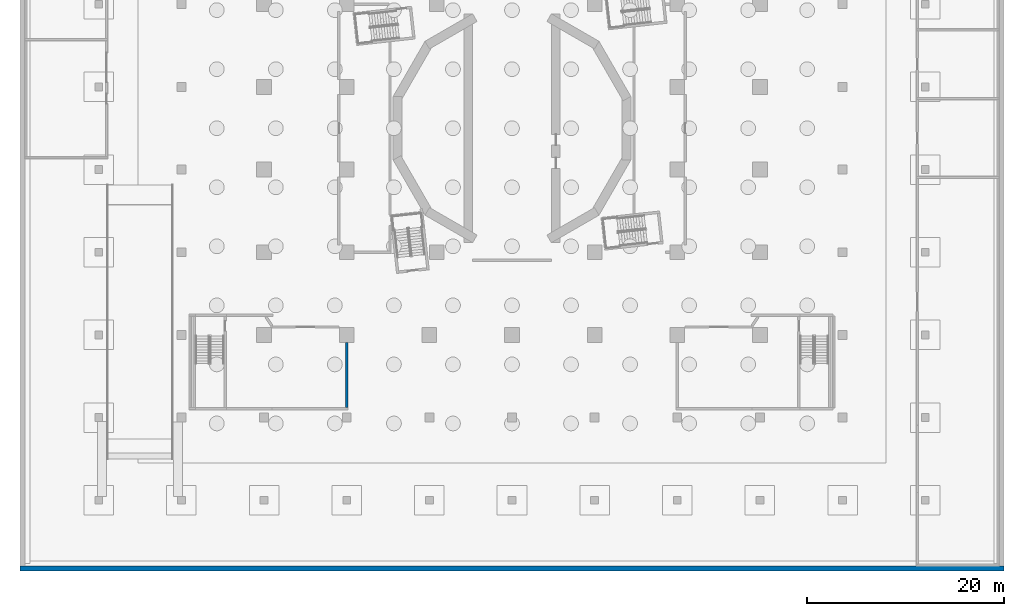
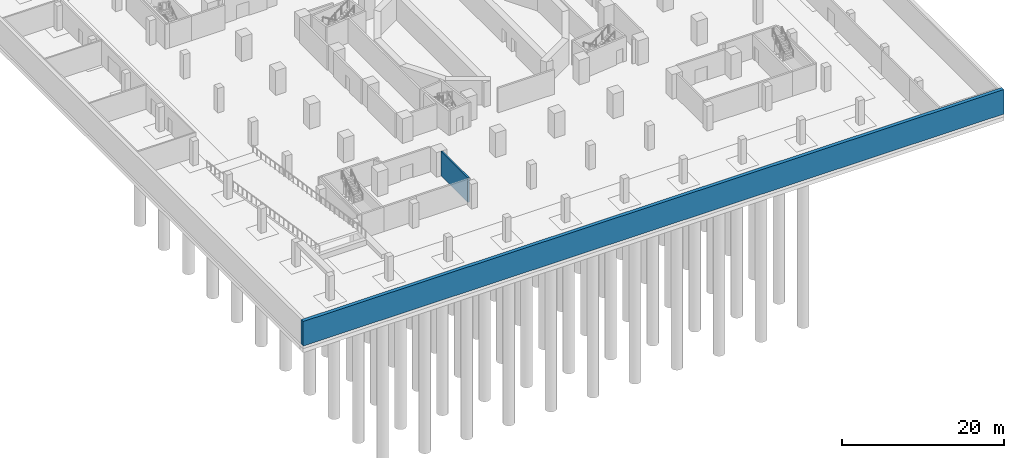
# One storey, part 4 of 20: 2 walls.
"""IFC4 building model written with IfcOpenShell, lengths in metres."""

from ifc_helpers import new_model, si_unit, direction, frame, frame_2d, origin, place, context, subcontext, project, spatial, rectangle, extrude, material, layer, layer_set, type_object, element, save


model = new_model("IFC4")

# Units and contexts
model_context = context("Model", 3, precision=1e-05, world=origin(), true_north=direction((0.0, 1.0)))
body_context = subcontext(model_context, "Body", "Model", "MODEL_VIEW")
ifc_project = project(units=[si_unit("LENGTHUNIT", "METRE"), si_unit("AREAUNIT", "SQUARE_METRE"), si_unit("VOLUMEUNIT", "CUBIC_METRE"), si_unit("PLANEANGLEUNIT", "RADIAN"), si_unit("MASSUNIT", "GRAM", prefix="KILO")], contexts=[model_context])

# Site, building, storey
site_placement = place(None, origin())
site = spatial("IfcSite", under=ifc_project, at=site_placement, CompositionType="ELEMENT")
building_placement = place(site_placement, origin())
building = spatial("IfcBuilding", under=site, at=building_placement, Name="Cantera Rosa Tower", CompositionType="ELEMENT")
storey_placement = place(building_placement, frame((0.0, 0.0, -17.0)))
storey = spatial("IfcBuildingStorey", under=building, at=storey_placement, Name="B4", CompositionType="ELEMENT", Elevation=-17.0)

# Walls
ifc_material_1 = material(Name="Masonry blockwork", Category="masonry")
ifc_layer_1 = layer(ifc_material_1, 0.25)
ifc_layer_set_1 = layer_set([ifc_layer_1], Name="Fire-rated external wall 250")
wall_type_1 = type_object("IfcWallType", Name="Fire-rated external wall 250", PredefinedType="PARTITIONING", material=ifc_layer_set_1)
wall_1_placement = place(storey_placement, frame((-16.800048828125, -28.375, 0.0), z_axis=(0.0, 0.0, 1.0), x_axis=(0.0, 1.0, 0.0)))
element("IfcWall", 1, at=wall_1_placement, inside=storey, type_object=wall_type_1, Name="Fire wall B4-46", PredefinedType="PARTITIONING", context=body_context, shape_type="SweptSolid", body=[
    extrude(rectangle(XDim=6.625, YDim=0.25, at=frame_2d((3.3125, 0.0))), origin(), (0.0, 0.0, 1.0), 3.699951171875),
])
ifc_material_2 = material(Name="Concrete C40/50", Category="concrete")
ifc_layer_2 = layer(ifc_material_2, 0.5)
ifc_layer_set_2 = layer_set([ifc_layer_2], Name="Retaining wall 500")
wall_type_2 = type_object("IfcWallType", Name="Retaining wall 500", PredefinedType="SOLIDWALL", material=ifc_layer_set_2)
wall_2_placement = place(storey_placement, frame((-50.0, -44.75, 0.0), z_axis=(0.0, 0.0, 1.0), x_axis=(1.0, 0.0, 0.0)))
element("IfcWall", 2, at=wall_2_placement, inside=storey, type_object=wall_type_2, Name="Retaining wall S B4", PredefinedType="SOLIDWALL", context=body_context, shape_type="SweptSolid", body=[
    extrude(rectangle(XDim=100.0, YDim=0.5, at=frame_2d((50.0, 0.0))), origin(), (0.0, 0.0, 1.0), 3.699951171875),
])

save(model, "model.ifc")
